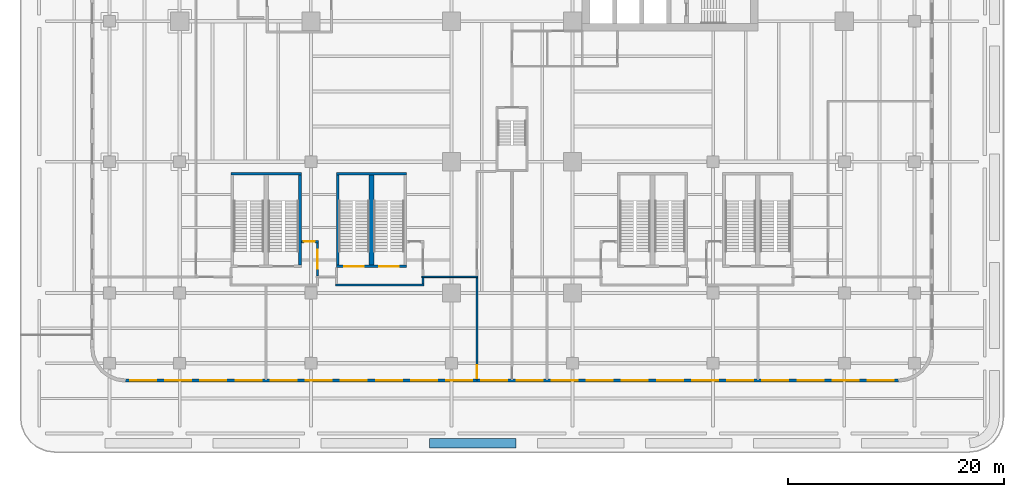
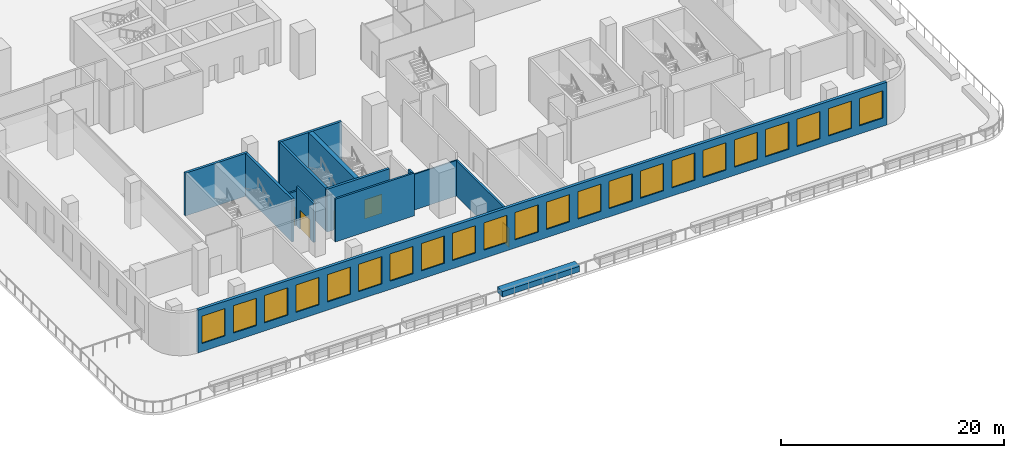
# One storey, part 6 of 18: 22 windows, 14 walls, 5 doors, 27 openings.
"""IFC4 building model written with IfcOpenShell, lengths in metres."""

from ifc_helpers import new_model, si_unit, direction, frame, frame_2d, origin, place, context, subcontext, project, spatial, polyline, rectangle, outline, extrude, source, transform, mapped, material, layer, layer_set, type_object, element, fill, save


model = new_model("IFC4")

# Units and contexts
model_context = context("Model", 3, precision=1e-05, world=origin(), true_north=direction((0.0, 1.0)))
body_context = subcontext(model_context, "Body", "Model", "MODEL_VIEW")
ifc_project = project(units=[si_unit("LENGTHUNIT", "METRE"), si_unit("AREAUNIT", "SQUARE_METRE"), si_unit("VOLUMEUNIT", "CUBIC_METRE"), si_unit("PLANEANGLEUNIT", "RADIAN"), si_unit("MASSUNIT", "GRAM", prefix="KILO")], contexts=[model_context])

# Site, building, storey
site_placement = place(None, origin())
site = spatial("IfcSite", under=ifc_project, at=site_placement, CompositionType="ELEMENT")
building_placement = place(site_placement, origin())
building = spatial("IfcBuilding", under=site, at=building_placement, Name="Trellis Farm Tower", CompositionType="ELEMENT")
storey_placement = place(building_placement, frame((0.0, 0.0, 14.0)))
storey = spatial("IfcBuildingStorey", under=building, at=storey_placement, Name="L02", CompositionType="ELEMENT", Elevation=14.0)

# Walls
ifc_material_1 = material(Name="Plasterboard on steel studs, mineral wool", Category="steel")
ifc_layer_1 = layer(ifc_material_1, 0.125)
ifc_layer_set_1 = layer_set([ifc_layer_1], Name="PARTITION 125 STUD EI 60")
wall_type_1 = type_object("IfcWallType", Name="PARTITION 125 STUD EI 60", PredefinedType="PARTITIONING", material=ifc_layer_set_1)
wall_1_placement = place(storey_placement, frame((-3.14990234375, -29.25, 0.0), z_axis=(0.0, 0.0, 1.0), x_axis=(-1.0, 0.0, 0.0)))
element("IfcWall", 1, at=wall_1_placement, inside=storey, type_object=wall_type_1, Name="Partition PW1", PredefinedType="PARTITIONING", context=body_context, shape_type="SweptSolid", body=[
    extrude(rectangle(XDim=5.2001953125, YDim=0.125, at=frame_2d((2.60009765625, 0.0))), origin(), (0.0, 0.0, 1.0), 3.917724609375),
])
ifc_material_2 = material(Name="Sandstone faced masonry planter", Category="masonry")
ifc_layer_2 = layer(ifc_material_2, 0.89990234375)
ifc_layer_set_2 = layer_set([ifc_layer_2], Name="TERRACE PLANTER BED 900")
wall_type_2 = type_object("IfcWallType", Name="TERRACE PLANTER BED 900", PredefinedType="USERDEFINED", material=ifc_layer_set_2)
wall_2_placement = place(storey_placement, origin())
element("IfcWall", 2, at=wall_2_placement, inside=storey, type_object=wall_type_2, Name="PLANTER bed", ObjectType="PLANTER", PredefinedType="USERDEFINED", context=body_context, shape_type="SweptSolid", body=[
    extrude(outline(polyline([(-7.652587890625, -44.199951171875), (0.347412109375, -44.199951171875), (0.347412109375, -45.10009765625), (-7.652587890625, -45.10009765625), (-7.652587890625, -44.199951171875)])), origin(), (0.0, 0.0, 1.0), 0.60009765625),
])
ifc_material_3 = material(Name="Concrete C80/95", Category="concrete")
ifc_layer_3 = layer(ifc_material_3, 0.25)
ifc_layer_set_3 = layer_set([ifc_layer_3], Name="CORE STAIR ENCLOSURE WALL 250 CONCRETE C80/95")
wall_type_3 = type_object("IfcWallType", Name="CORE STAIR ENCLOSURE WALL 250 CONCRETE C80/95", PredefinedType="SHEAR", material=ifc_layer_set_3)
shared_shape_1 = source(origin(), body_context, "Body", "SweptSolid", [
    extrude(rectangle(XDim=6.5, YDim=0.25, at=frame_2d((3.25, 0.0))), origin(), (0.0, 0.0, 1.0), 4.699951171875),
])
wall_3_placement = place(storey_placement, frame((-26.0, -19.72509765625, 0.0), z_axis=(0.0, 0.0, 1.0), x_axis=(1.0, 0.0, 0.0)))
element("IfcWall", 3, at=wall_3_placement, inside=storey, type_object=wall_type_3, Name="Podium stair enclosure wall", PredefinedType="SHEAR", context=body_context, shape_type="MappedRepresentation", body=[
    mapped(shared_shape_1, transform((0.0, 0.0, 0.0))),
])

# Wall, openings, doors
wall_4_placement = place(storey_placement, frame((-16.25, -28.27490234375, 0.0), z_axis=(0.0, 0.0, 1.0), x_axis=(1.0, 0.0, 0.0)))
wall_4 = element("IfcWall", 4, at=wall_4_placement, inside=storey, type_object=wall_type_3, Name="Podium stair enclosure wall", PredefinedType="SHEAR", context=body_context, shape_type="MappedRepresentation", body=[
    mapped(shared_shape_1, transform((0.0, 0.0, 0.0))),
])
shared_shape_2 = source(origin(), body_context, "Body", "SweptSolid", [
    extrude(rectangle(XDim=1.800048828125, YDim=2.10009765625, at=frame_2d((0.89990234375, 1.050048828125))), frame((0.0, 0.135009765625, 0.0), z_axis=(0.0, -1.0, 0.0), x_axis=(1.0, 0.0, 0.0)), (0.0, 0.0, 1.0), 0.27001953125),
])
opening_1_placement = place(wall_4_placement, frame((0.72509765625, 0.0, 0.0)))
opening_1 = element("IfcOpeningElement", 5, at=opening_1_placement, cuts=wall_4, Name="Opening DP11", PredefinedType="OPENING", context=body_context, shape_type="MappedRepresentation", body=[
    mapped(shared_shape_2, transform((0.0, 0.0, 0.0))),
])
opening_2_placement = place(wall_4_placement, frame((3.97509765625, 0.0, 0.0)))
opening_2 = element("IfcOpeningElement", 6, at=opening_2_placement, cuts=wall_4, Name="Opening DP12", PredefinedType="OPENING", context=body_context, shape_type="MappedRepresentation", body=[
    mapped(shared_shape_2, transform((0.0, 0.0, 0.0))),
])
ifc_material_4 = material(Name="Steel", Category="steel")
door_type_1 = type_object("IfcDoorType", Name="CORE FIRE DOOR DOUBLE 1800 X 2100", OperationType="DOUBLE_DOOR_SINGLE_SWING", PredefinedType="DOOR", material=ifc_material_4)
shared_shape_3 = source(origin(), body_context, "Body", "SweptSolid", [
    extrude(rectangle(XDim=1.800048828125, YDim=2.10009765625, at=frame_2d((0.89990234375, 1.050048828125))), frame((0.0, 0.02490234375, 0.0), z_axis=(0.0, -1.0, 0.0), x_axis=(1.0, 0.0, 0.0)), (0.0, 0.0, 1.0), 0.050048828125),
])
door_1_placement = place(opening_1_placement, origin())
door_1 = element("IfcDoor", 7, at=door_1_placement, inside=storey, type_object=door_type_1, Name="Podium stair door", OperationType="DOUBLE_DOOR_SINGLE_SWING", OverallHeight=2.10009765625, OverallWidth=1.800048828125, PredefinedType="DOOR", context=body_context, shape_type="MappedRepresentation", body=[
    mapped(shared_shape_3, transform((0.0, 0.0, 0.0))),
])
fill(opening_1, door_1)
door_2_placement = place(opening_2_placement, origin())
door_2 = element("IfcDoor", 8, at=door_2_placement, inside=storey, type_object=door_type_1, Name="Podium stair door", OperationType="DOUBLE_DOOR_SINGLE_SWING", OverallHeight=2.10009765625, OverallWidth=1.800048828125, PredefinedType="DOOR", context=body_context, shape_type="MappedRepresentation", body=[
    mapped(shared_shape_3, transform((0.0, 0.0, 0.0))),
])
fill(opening_2, door_2)

# Walls
wall_5_placement = place(storey_placement, frame((-16.25, -19.72509765625, 0.0), z_axis=(0.0, 0.0, 1.0), x_axis=(1.0, 0.0, 0.0)))
element("IfcWall", 9, at=wall_5_placement, inside=storey, type_object=wall_type_3, Name="Podium stair enclosure wall", PredefinedType="SHEAR", context=body_context, shape_type="MappedRepresentation", body=[
    mapped(shared_shape_1, transform((0.0, 0.0, 0.0))),
])
shared_shape_4 = source(origin(), body_context, "Body", "SweptSolid", [
    extrude(rectangle(XDim=8.2998046875, YDim=0.25, at=frame_2d((4.14990234375, 0.0))), origin(), (0.0, 0.0, 1.0), 4.699951171875),
])
for number, where, z_axis, x_axis, name in (
    (10, (-19.625, -28.14990234375, 0.0), (0.0, 0.0, 1.0), (0.0, 1.0, 0.0), "Podium stair enclosure wall"),
    (11, (-16.125, -28.14990234375, 0.0), (0.0, 0.0, 1.0), (0.0, 1.0, 0.0), "Podium stair enclosure wall"),
):
    element("IfcWall", number, at=place(storey_placement, frame(where, z_axis=z_axis, x_axis=x_axis)), inside=storey, type_object=wall_type_3, Name=name, PredefinedType="SHEAR", context=body_context, shape_type="MappedRepresentation", body=[
        mapped(shared_shape_4, transform((0.0, 0.0, 0.0))),
    ])
ifc_layer_4 = layer(ifc_material_3, 0.43994140625)
ifc_layer_set_4 = layer_set([ifc_layer_4], Name="CORE STAIR ENCLOSURE WALL 440 CONCRETE C80/95")
wall_type_4 = type_object("IfcWallType", Name="CORE STAIR ENCLOSURE WALL 440 CONCRETE C80/95", PredefinedType="SHEAR", material=ifc_layer_set_4)
shared_shape_5 = source(origin(), body_context, "Body", "SweptSolid", [
    extrude(rectangle(XDim=8.2998046875, YDim=0.43994140625, at=frame_2d((4.14990234375, 0.0))), origin(), (0.0, 0.0, 1.0), 4.699951171875),
])
wall_6_placement = place(storey_placement, frame((-13.0, -28.14990234375, 0.0), z_axis=(0.0, 0.0, 1.0), x_axis=(0.0, 1.0, 0.0)))
element("IfcWall", 12, at=wall_6_placement, inside=storey, type_object=wall_type_4, Name="Podium stair enclosure wall", PredefinedType="SHEAR", context=body_context, shape_type="MappedRepresentation", body=[
    mapped(shared_shape_5, transform((0.0, 0.0, 0.0))),
])

# Wall, openings, windows
ifc_material_5 = material(Name="Sandstone faced insulated wall", Category="masonry")
ifc_layer_5 = layer(ifc_material_5, 0.300048828125)
ifc_layer_set_5 = layer_set([ifc_layer_5], Name="STONE CLAD EXTERNAL WALL 300")
wall_type_5 = type_object("IfcWallType", Name="STONE CLAD EXTERNAL WALL 300", PredefinedType="SOLIDWALL", material=ifc_layer_set_5)
shared_shape_6 = source(origin(), body_context, "Body", "SweptSolid", [
    extrude(rectangle(XDim=71.5, YDim=0.300048828125, at=frame_2d((35.75, 0.0))), origin(), (0.0, 0.0, 1.0), 4.699951171875),
])
wall_7_placement = place(storey_placement, frame((-35.75, -38.85009765625, 0.0), z_axis=(0.0, 0.0, 1.0), x_axis=(1.0, 0.0, 0.0)))
wall_7 = element("IfcWall", 13, at=wall_7_placement, inside=storey, type_object=wall_type_5, Name="EW2 F04", PredefinedType="SOLIDWALL", context=body_context, shape_type="MappedRepresentation", body=[
    mapped(shared_shape_6, transform((0.0, 0.0, 0.0))),
])
shared_shape_7 = source(origin(), body_context, "Body", "SweptSolid", [
    extrude(rectangle(XDim=2.39990234375, YDim=3.0, at=frame_2d((1.199951171875, 1.5))), frame((0.0, 0.16015625, 0.0), z_axis=(0.0, -1.0, 0.0), x_axis=(1.0, 0.0, 0.0)), (0.0, 0.0, 1.0), 0.3203125),
])
opening_3_placement = place(wall_7_placement, frame((0.425048828125, 0.0, 0.89990234375)))
opening_3 = element("IfcOpeningElement", 14, at=opening_3_placement, cuts=wall_7, Name="Opening WN1", PredefinedType="OPENING", context=body_context, shape_type="MappedRepresentation", body=[
    mapped(shared_shape_7, transform((0.0, 0.0, 0.0))),
])
opening_4_placement = place(wall_7_placement, frame((3.675048828125, 0.0, 0.89990234375)))
opening_4 = element("IfcOpeningElement", 15, at=opening_4_placement, cuts=wall_7, Name="Opening WN1", PredefinedType="OPENING", context=body_context, shape_type="MappedRepresentation", body=[
    mapped(shared_shape_7, transform((0.0, 0.0, 0.0))),
])
opening_5_placement = place(wall_7_placement, frame((6.925048828125, 0.0, 0.89990234375)))
opening_5 = element("IfcOpeningElement", 16, at=opening_5_placement, cuts=wall_7, Name="Opening WN1", PredefinedType="OPENING", context=body_context, shape_type="MappedRepresentation", body=[
    mapped(shared_shape_7, transform((0.0, 0.0, 0.0))),
])
opening_6_placement = place(wall_7_placement, frame((10.175048828125, 0.0, 0.89990234375)))
opening_6 = element("IfcOpeningElement", 17, at=opening_6_placement, cuts=wall_7, Name="Opening WN1", PredefinedType="OPENING", context=body_context, shape_type="MappedRepresentation", body=[
    mapped(shared_shape_7, transform((0.0, 0.0, 0.0))),
])
opening_7_placement = place(wall_7_placement, frame((13.425048828125, 0.0, 0.89990234375)))
opening_7 = element("IfcOpeningElement", 18, at=opening_7_placement, cuts=wall_7, Name="Opening WN1", PredefinedType="OPENING", context=body_context, shape_type="MappedRepresentation", body=[
    mapped(shared_shape_7, transform((0.0, 0.0, 0.0))),
])
opening_8_placement = place(wall_7_placement, frame((16.675048828125, 0.0, 0.89990234375)))
opening_8 = element("IfcOpeningElement", 19, at=opening_8_placement, cuts=wall_7, Name="Opening WN1", PredefinedType="OPENING", context=body_context, shape_type="MappedRepresentation", body=[
    mapped(shared_shape_7, transform((0.0, 0.0, 0.0))),
])
opening_9_placement = place(wall_7_placement, frame((19.925048828125, 0.0, 0.89990234375)))
opening_9 = element("IfcOpeningElement", 20, at=opening_9_placement, cuts=wall_7, Name="Opening WN1", PredefinedType="OPENING", context=body_context, shape_type="MappedRepresentation", body=[
    mapped(shared_shape_7, transform((0.0, 0.0, 0.0))),
])
opening_10_placement = place(wall_7_placement, frame((23.175048828125, 0.0, 0.89990234375)))
opening_10 = element("IfcOpeningElement", 21, at=opening_10_placement, cuts=wall_7, Name="Opening WN1", PredefinedType="OPENING", context=body_context, shape_type="MappedRepresentation", body=[
    mapped(shared_shape_7, transform((0.0, 0.0, 0.0))),
])
opening_11_placement = place(wall_7_placement, frame((26.425048828125, 0.0, 0.89990234375)))
opening_11 = element("IfcOpeningElement", 22, at=opening_11_placement, cuts=wall_7, Name="Opening WN1", PredefinedType="OPENING", context=body_context, shape_type="MappedRepresentation", body=[
    mapped(shared_shape_7, transform((0.0, 0.0, 0.0))),
])
opening_12_placement = place(wall_7_placement, frame((29.675048828125, 0.0, 0.89990234375)))
opening_12 = element("IfcOpeningElement", 23, at=opening_12_placement, cuts=wall_7, Name="Opening WN1", PredefinedType="OPENING", context=body_context, shape_type="MappedRepresentation", body=[
    mapped(shared_shape_7, transform((0.0, 0.0, 0.0))),
])
opening_13_placement = place(wall_7_placement, frame((32.925048828125, 0.0, 0.89990234375)))
opening_13 = element("IfcOpeningElement", 24, at=opening_13_placement, cuts=wall_7, Name="Opening WN1", PredefinedType="OPENING", context=body_context, shape_type="MappedRepresentation", body=[
    mapped(shared_shape_7, transform((0.0, 0.0, 0.0))),
])
opening_14_placement = place(wall_7_placement, frame((36.175048828125, 0.0, 0.89990234375)))
opening_14 = element("IfcOpeningElement", 25, at=opening_14_placement, cuts=wall_7, Name="Opening WN1", PredefinedType="OPENING", context=body_context, shape_type="MappedRepresentation", body=[
    mapped(shared_shape_7, transform((0.0, 0.0, 0.0))),
])
opening_15_placement = place(wall_7_placement, frame((39.425048828125, 0.0, 0.89990234375)))
opening_15 = element("IfcOpeningElement", 26, at=opening_15_placement, cuts=wall_7, Name="Opening WN1", PredefinedType="OPENING", context=body_context, shape_type="MappedRepresentation", body=[
    mapped(shared_shape_7, transform((0.0, 0.0, 0.0))),
])
opening_16_placement = place(wall_7_placement, frame((42.675048828125, 0.0, 0.89990234375)))
opening_16 = element("IfcOpeningElement", 27, at=opening_16_placement, cuts=wall_7, Name="Opening WN1", PredefinedType="OPENING", context=body_context, shape_type="MappedRepresentation", body=[
    mapped(shared_shape_7, transform((0.0, 0.0, 0.0))),
])
opening_17_placement = place(wall_7_placement, frame((45.925048828125, 0.0, 0.89990234375)))
opening_17 = element("IfcOpeningElement", 28, at=opening_17_placement, cuts=wall_7, Name="Opening WN1", PredefinedType="OPENING", context=body_context, shape_type="MappedRepresentation", body=[
    mapped(shared_shape_7, transform((0.0, 0.0, 0.0))),
])
opening_18_placement = place(wall_7_placement, frame((49.175048828125, 0.0, 0.89990234375)))
opening_18 = element("IfcOpeningElement", 29, at=opening_18_placement, cuts=wall_7, Name="Opening WN1", PredefinedType="OPENING", context=body_context, shape_type="MappedRepresentation", body=[
    mapped(shared_shape_7, transform((0.0, 0.0, 0.0))),
])
opening_19_placement = place(wall_7_placement, frame((52.425048828125, 0.0, 0.89990234375)))
opening_19 = element("IfcOpeningElement", 30, at=opening_19_placement, cuts=wall_7, Name="Opening WN1", PredefinedType="OPENING", context=body_context, shape_type="MappedRepresentation", body=[
    mapped(shared_shape_7, transform((0.0, 0.0, 0.0))),
])
opening_20_placement = place(wall_7_placement, frame((55.675048828125, 0.0, 0.89990234375)))
opening_20 = element("IfcOpeningElement", 31, at=opening_20_placement, cuts=wall_7, Name="Opening WN1", PredefinedType="OPENING", context=body_context, shape_type="MappedRepresentation", body=[
    mapped(shared_shape_7, transform((0.0, 0.0, 0.0))),
])
opening_21_placement = place(wall_7_placement, frame((58.925048828125, 0.0, 0.89990234375)))
opening_21 = element("IfcOpeningElement", 32, at=opening_21_placement, cuts=wall_7, Name="Opening WN1", PredefinedType="OPENING", context=body_context, shape_type="MappedRepresentation", body=[
    mapped(shared_shape_7, transform((0.0, 0.0, 0.0))),
])
opening_22_placement = place(wall_7_placement, frame((62.175048828125, 0.0, 0.89990234375)))
opening_22 = element("IfcOpeningElement", 33, at=opening_22_placement, cuts=wall_7, Name="Opening WN1", PredefinedType="OPENING", context=body_context, shape_type="MappedRepresentation", body=[
    mapped(shared_shape_7, transform((0.0, 0.0, 0.0))),
])
opening_23_placement = place(wall_7_placement, frame((65.425048828125, 0.0, 0.89990234375)))
opening_23 = element("IfcOpeningElement", 34, at=opening_23_placement, cuts=wall_7, Name="Opening WN1", PredefinedType="OPENING", context=body_context, shape_type="MappedRepresentation", body=[
    mapped(shared_shape_7, transform((0.0, 0.0, 0.0))),
])
opening_24_placement = place(wall_7_placement, frame((68.675048828125, 0.0, 0.89990234375)))
opening_24 = element("IfcOpeningElement", 35, at=opening_24_placement, cuts=wall_7, Name="Opening WN1", PredefinedType="OPENING", context=body_context, shape_type="MappedRepresentation", body=[
    mapped(shared_shape_7, transform((0.0, 0.0, 0.0))),
])
ifc_material_6 = material(Name="Clear insulated glass", Category="glass")
window_type = type_object("IfcWindowType", Name="PODIUM WINDOW 2400x3000", PartitioningType="SINGLE_PANEL", PredefinedType="WINDOW", material=ifc_material_6)
shared_shape_8 = source(origin(), body_context, "Body", "SweptSolid", [
    extrude(rectangle(XDim=2.39990234375, YDim=3.0, at=frame_2d((1.199951171875, 1.5))), frame((0.0, 0.030029296875, 0.0), z_axis=(0.0, -1.0, 0.0), x_axis=(1.0, 0.0, 0.0)), (0.0, 0.0, 1.0), 0.06005859375),
])
window_1_placement = place(opening_3_placement, origin())
window_1 = element("IfcWindow", 36, at=window_1_placement, inside=storey, type_object=window_type, Name="WN1 065", OverallHeight=3.0, OverallWidth=2.39990234375, PartitioningType="SINGLE_PANEL", PredefinedType="WINDOW", context=body_context, shape_type="MappedRepresentation", body=[
    mapped(shared_shape_8, transform((0.0, 0.0, 0.0))),
])
fill(opening_3, window_1)
window_2_placement = place(opening_4_placement, origin())
window_2 = element("IfcWindow", 37, at=window_2_placement, inside=storey, type_object=window_type, Name="WN1 066", OverallHeight=3.0, OverallWidth=2.39990234375, PartitioningType="SINGLE_PANEL", PredefinedType="WINDOW", context=body_context, shape_type="MappedRepresentation", body=[
    mapped(shared_shape_8, transform((0.0, 0.0, 0.0))),
])
fill(opening_4, window_2)
window_3_placement = place(opening_5_placement, origin())
window_3 = element("IfcWindow", 38, at=window_3_placement, inside=storey, type_object=window_type, Name="WN1 067", OverallHeight=3.0, OverallWidth=2.39990234375, PartitioningType="SINGLE_PANEL", PredefinedType="WINDOW", context=body_context, shape_type="MappedRepresentation", body=[
    mapped(shared_shape_8, transform((0.0, 0.0, 0.0))),
])
fill(opening_5, window_3)
window_4_placement = place(opening_6_placement, origin())
window_4 = element("IfcWindow", 39, at=window_4_placement, inside=storey, type_object=window_type, Name="WN1 068", OverallHeight=3.0, OverallWidth=2.39990234375, PartitioningType="SINGLE_PANEL", PredefinedType="WINDOW", context=body_context, shape_type="MappedRepresentation", body=[
    mapped(shared_shape_8, transform((0.0, 0.0, 0.0))),
])
fill(opening_6, window_4)
window_5_placement = place(opening_7_placement, origin())
window_5 = element("IfcWindow", 40, at=window_5_placement, inside=storey, type_object=window_type, Name="WN1 069", OverallHeight=3.0, OverallWidth=2.39990234375, PartitioningType="SINGLE_PANEL", PredefinedType="WINDOW", context=body_context, shape_type="MappedRepresentation", body=[
    mapped(shared_shape_8, transform((0.0, 0.0, 0.0))),
])
fill(opening_7, window_5)
window_6_placement = place(opening_8_placement, origin())
window_6 = element("IfcWindow", 41, at=window_6_placement, inside=storey, type_object=window_type, Name="WN1 070", OverallHeight=3.0, OverallWidth=2.39990234375, PartitioningType="SINGLE_PANEL", PredefinedType="WINDOW", context=body_context, shape_type="MappedRepresentation", body=[
    mapped(shared_shape_8, transform((0.0, 0.0, 0.0))),
])
fill(opening_8, window_6)
window_7_placement = place(opening_9_placement, origin())
window_7 = element("IfcWindow", 42, at=window_7_placement, inside=storey, type_object=window_type, Name="WN1 071", OverallHeight=3.0, OverallWidth=2.39990234375, PartitioningType="SINGLE_PANEL", PredefinedType="WINDOW", context=body_context, shape_type="MappedRepresentation", body=[
    mapped(shared_shape_8, transform((0.0, 0.0, 0.0))),
])
fill(opening_9, window_7)
window_8_placement = place(opening_10_placement, origin())
window_8 = element("IfcWindow", 43, at=window_8_placement, inside=storey, type_object=window_type, Name="WN1 072", OverallHeight=3.0, OverallWidth=2.39990234375, PartitioningType="SINGLE_PANEL", PredefinedType="WINDOW", context=body_context, shape_type="MappedRepresentation", body=[
    mapped(shared_shape_8, transform((0.0, 0.0, 0.0))),
])
fill(opening_10, window_8)
window_9_placement = place(opening_11_placement, origin())
window_9 = element("IfcWindow", 44, at=window_9_placement, inside=storey, type_object=window_type, Name="WN1 073", OverallHeight=3.0, OverallWidth=2.39990234375, PartitioningType="SINGLE_PANEL", PredefinedType="WINDOW", context=body_context, shape_type="MappedRepresentation", body=[
    mapped(shared_shape_8, transform((0.0, 0.0, 0.0))),
])
fill(opening_11, window_9)
window_10_placement = place(opening_12_placement, origin())
window_10 = element("IfcWindow", 45, at=window_10_placement, inside=storey, type_object=window_type, Name="WN1 074", OverallHeight=3.0, OverallWidth=2.39990234375, PartitioningType="SINGLE_PANEL", PredefinedType="WINDOW", context=body_context, shape_type="MappedRepresentation", body=[
    mapped(shared_shape_8, transform((0.0, 0.0, 0.0))),
])
fill(opening_12, window_10)
window_11_placement = place(opening_13_placement, origin())
window_11 = element("IfcWindow", 46, at=window_11_placement, inside=storey, type_object=window_type, Name="WN1 075", OverallHeight=3.0, OverallWidth=2.39990234375, PartitioningType="SINGLE_PANEL", PredefinedType="WINDOW", context=body_context, shape_type="MappedRepresentation", body=[
    mapped(shared_shape_8, transform((0.0, 0.0, 0.0))),
])
fill(opening_13, window_11)
window_12_placement = place(opening_14_placement, origin())
window_12 = element("IfcWindow", 47, at=window_12_placement, inside=storey, type_object=window_type, Name="WN1 076", OverallHeight=3.0, OverallWidth=2.39990234375, PartitioningType="SINGLE_PANEL", PredefinedType="WINDOW", context=body_context, shape_type="MappedRepresentation", body=[
    mapped(shared_shape_8, transform((0.0, 0.0, 0.0))),
])
fill(opening_14, window_12)
window_13_placement = place(opening_15_placement, origin())
window_13 = element("IfcWindow", 48, at=window_13_placement, inside=storey, type_object=window_type, Name="WN1 077", OverallHeight=3.0, OverallWidth=2.39990234375, PartitioningType="SINGLE_PANEL", PredefinedType="WINDOW", context=body_context, shape_type="MappedRepresentation", body=[
    mapped(shared_shape_8, transform((0.0, 0.0, 0.0))),
])
fill(opening_15, window_13)
window_14_placement = place(opening_16_placement, origin())
window_14 = element("IfcWindow", 49, at=window_14_placement, inside=storey, type_object=window_type, Name="WN1 078", OverallHeight=3.0, OverallWidth=2.39990234375, PartitioningType="SINGLE_PANEL", PredefinedType="WINDOW", context=body_context, shape_type="MappedRepresentation", body=[
    mapped(shared_shape_8, transform((0.0, 0.0, 0.0))),
])
fill(opening_16, window_14)
window_15_placement = place(opening_17_placement, origin())
window_15 = element("IfcWindow", 50, at=window_15_placement, inside=storey, type_object=window_type, Name="WN1 079", OverallHeight=3.0, OverallWidth=2.39990234375, PartitioningType="SINGLE_PANEL", PredefinedType="WINDOW", context=body_context, shape_type="MappedRepresentation", body=[
    mapped(shared_shape_8, transform((0.0, 0.0, 0.0))),
])
fill(opening_17, window_15)
window_16_placement = place(opening_18_placement, origin())
window_16 = element("IfcWindow", 51, at=window_16_placement, inside=storey, type_object=window_type, Name="WN1 080", OverallHeight=3.0, OverallWidth=2.39990234375, PartitioningType="SINGLE_PANEL", PredefinedType="WINDOW", context=body_context, shape_type="MappedRepresentation", body=[
    mapped(shared_shape_8, transform((0.0, 0.0, 0.0))),
])
fill(opening_18, window_16)
window_17_placement = place(opening_19_placement, origin())
window_17 = element("IfcWindow", 52, at=window_17_placement, inside=storey, type_object=window_type, Name="WN1 081", OverallHeight=3.0, OverallWidth=2.39990234375, PartitioningType="SINGLE_PANEL", PredefinedType="WINDOW", context=body_context, shape_type="MappedRepresentation", body=[
    mapped(shared_shape_8, transform((0.0, 0.0, 0.0))),
])
fill(opening_19, window_17)
window_18_placement = place(opening_20_placement, origin())
window_18 = element("IfcWindow", 53, at=window_18_placement, inside=storey, type_object=window_type, Name="WN1 082", OverallHeight=3.0, OverallWidth=2.39990234375, PartitioningType="SINGLE_PANEL", PredefinedType="WINDOW", context=body_context, shape_type="MappedRepresentation", body=[
    mapped(shared_shape_8, transform((0.0, 0.0, 0.0))),
])
fill(opening_20, window_18)
window_19_placement = place(opening_21_placement, origin())
window_19 = element("IfcWindow", 54, at=window_19_placement, inside=storey, type_object=window_type, Name="WN1 083", OverallHeight=3.0, OverallWidth=2.39990234375, PartitioningType="SINGLE_PANEL", PredefinedType="WINDOW", context=body_context, shape_type="MappedRepresentation", body=[
    mapped(shared_shape_8, transform((0.0, 0.0, 0.0))),
])
fill(opening_21, window_19)
window_20_placement = place(opening_22_placement, origin())
window_20 = element("IfcWindow", 55, at=window_20_placement, inside=storey, type_object=window_type, Name="WN1 084", OverallHeight=3.0, OverallWidth=2.39990234375, PartitioningType="SINGLE_PANEL", PredefinedType="WINDOW", context=body_context, shape_type="MappedRepresentation", body=[
    mapped(shared_shape_8, transform((0.0, 0.0, 0.0))),
])
fill(opening_22, window_20)
window_21_placement = place(opening_23_placement, origin())
window_21 = element("IfcWindow", 56, at=window_21_placement, inside=storey, type_object=window_type, Name="WN1 085", OverallHeight=3.0, OverallWidth=2.39990234375, PartitioningType="SINGLE_PANEL", PredefinedType="WINDOW", context=body_context, shape_type="MappedRepresentation", body=[
    mapped(shared_shape_8, transform((0.0, 0.0, 0.0))),
])
fill(opening_23, window_21)
window_22_placement = place(opening_24_placement, origin())
window_22 = element("IfcWindow", 57, at=window_22_placement, inside=storey, type_object=window_type, Name="WN1 086", OverallHeight=3.0, OverallWidth=2.39990234375, PartitioningType="SINGLE_PANEL", PredefinedType="WINDOW", context=body_context, shape_type="MappedRepresentation", body=[
    mapped(shared_shape_8, transform((0.0, 0.0, 0.0))),
])
fill(opening_24, window_22)

# Wall
ifc_material_7 = material(Name="Lightweight blockwork, plastered", Category="masonry")
ifc_layer_6 = layer(ifc_material_7, 0.199951171875)
ifc_layer_set_6 = layer_set([ifc_layer_6], Name="BLOCK WALL 200 EI 120")
wall_type_6 = type_object("IfcWallType", Name="BLOCK WALL 200 EI 120", PredefinedType="PARTITIONING", material=ifc_layer_set_6)
shared_shape_9 = source(origin(), body_context, "Body", "SweptSolid", [
    extrude(rectangle(XDim=0.58740234375, YDim=0.199951171875, at=frame_2d((0.293701171875, 0.0))), origin(), (0.0, 0.0, 1.0), 4.699951171875),
])
wall_8_placement = place(storey_placement, frame((-8.25, -29.89990234375, 0.0), z_axis=(0.0, 0.0, 1.0), x_axis=(0.0, 1.0, 0.0)))
element("IfcWall", 58, at=wall_8_placement, inside=storey, type_object=wall_type_6, Name="Partition PW3", PredefinedType="PARTITIONING", context=body_context, shape_type="MappedRepresentation", body=[
    mapped(shared_shape_9, transform((0.0, 0.0, 0.0))),
])

# Wall, opening, door
shared_shape_10 = source(origin(), body_context, "Body", "SweptSolid", [
    extrude(rectangle(XDim=3.08740234375, YDim=0.199951171875, at=frame_2d((1.543701171875, 0.0))), origin(), (0.0, 0.0, 1.0), 4.273681640625),
])
wall_9_placement = place(storey_placement, frame((-18.0, -26.10009765625, 0.0), z_axis=(0.0, 0.0, 1.0), x_axis=(0.0, -1.0, 0.0)))
wall_9 = element("IfcWall", 59, at=wall_9_placement, inside=storey, type_object=wall_type_6, Name="Partition PW3", PredefinedType="PARTITIONING", context=body_context, shape_type="MappedRepresentation", body=[
    mapped(shared_shape_10, transform((0.0, 0.0, 0.0))),
])
shared_shape_11 = source(origin(), body_context, "Body", "SweptSolid", [
    extrude(rectangle(XDim=1.800048828125, YDim=2.10009765625, at=frame_2d((0.89990234375, 1.050048828125))), frame((0.0, 0.110107421875, 0.0), z_axis=(0.0, -1.0, 0.0), x_axis=(1.0, 0.0, 0.0)), (0.0, 0.0, 1.0), 0.22021484375),
])
opening_25_placement = place(wall_9_placement, frame((0.625, 0.0, 0.0)))
opening_25 = element("IfcOpeningElement", 60, at=opening_25_placement, cuts=wall_9, Name="Opening D401", PredefinedType="OPENING", context=body_context, shape_type="MappedRepresentation", body=[
    mapped(shared_shape_11, transform((0.0, 0.0, 0.0))),
])
ifc_material_8 = material(Name="Fire-rated timber door leaf in a hollow metal frame", Category="wood")
door_type_2 = type_object("IfcDoorType", Name="DOOR PAIR 1800x2100 FD60", OperationType="NOTDEFINED", PredefinedType="DOOR", material=ifc_material_8)
door_3_placement = place(opening_25_placement, origin())
door_3 = element("IfcDoor", 61, at=door_3_placement, inside=storey, type_object=door_type_2, Name="Door D401", OperationType="DOUBLE_DOOR_SINGLE_SWING", OverallHeight=2.10009765625, OverallWidth=1.800048828125, PredefinedType="DOOR", context=body_context, shape_type="MappedRepresentation", body=[
    mapped(shared_shape_3, transform((0.0, 0.0, 0.0))),
])
fill(opening_25, door_3)

shared_shape_12 = source(origin(), body_context, "Body", "SweptSolid", [
    extrude(rectangle(XDim=9.487548828125, YDim=0.199951171875, at=frame_2d((4.74365234375, 0.0))), origin(), (0.0, 0.0, 1.0), 3.917724609375),
])
wall_10_placement = place(storey_placement, frame((-3.25, -38.800048828125, 0.0), z_axis=(0.0, 0.0, 1.0), x_axis=(0.0, 1.0, 0.0)))
wall_10 = element("IfcWall", 62, at=wall_10_placement, inside=storey, type_object=wall_type_6, Name="Partition PW3", PredefinedType="PARTITIONING", context=body_context, shape_type="MappedRepresentation", body=[
    mapped(shared_shape_12, transform((0.0, 0.0, 0.0))),
])
shared_shape_13 = source(origin(), body_context, "Body", "SweptSolid", [
    extrude(rectangle(XDim=1.199951171875, YDim=2.10009765625, at=frame_2d((0.60009765625, 1.050048828125))), frame((0.0, 0.110107421875, 0.0), z_axis=(0.0, -1.0, 0.0), x_axis=(1.0, 0.0, 0.0)), (0.0, 0.0, 1.0), 0.22021484375),
])
opening_26_placement = place(wall_10_placement, frame((0.14990234375, 0.0, 0.0)))
opening_26 = element("IfcOpeningElement", 63, at=opening_26_placement, cuts=wall_10, Name="Opening D601", PredefinedType="OPENING", context=body_context, shape_type="MappedRepresentation", body=[
    mapped(shared_shape_13, transform((0.0, 0.0, 0.0))),
])
door_type_3 = type_object("IfcDoorType", Name="DOOR 1200x2100 FD30S", OperationType="NOTDEFINED", PredefinedType="DOOR", material=ifc_material_8)
shared_shape_14 = source(origin(), body_context, "Body", "SweptSolid", [
    extrude(rectangle(XDim=1.199951171875, YDim=2.10009765625, at=frame_2d((0.60009765625, 1.050048828125))), frame((0.0, 0.02490234375, 0.0), z_axis=(0.0, -1.0, 0.0), x_axis=(1.0, 0.0, 0.0)), (0.0, 0.0, 1.0), 0.050048828125),
])
door_4_placement = place(opening_26_placement, origin())
door_4 = element("IfcDoor", 64, at=door_4_placement, inside=storey, type_object=door_type_3, Name="Door D601", OperationType="SINGLE_SWING_LEFT", OverallHeight=2.10009765625, OverallWidth=1.199951171875, PredefinedType="DOOR", context=body_context, shape_type="MappedRepresentation", body=[
    mapped(shared_shape_14, transform((0.0, 0.0, 0.0))),
])
fill(opening_26, door_4)

# Wall
shared_shape_15 = source(origin(), body_context, "Body", "SweptSolid", [
    extrude(rectangle(XDim=8.2001953125, YDim=0.199951171875, at=frame_2d((4.10009765625, 0.0))), origin(), (0.0, 0.0, 1.0), 4.699951171875),
])
wall_11_placement = place(storey_placement, frame((-8.14990234375, -30.0, 0.0), z_axis=(0.0, 0.0, 1.0), x_axis=(-1.0, 0.0, 0.0)))
element("IfcWall", 65, at=wall_11_placement, inside=storey, type_object=wall_type_6, Name="Partition PW3", PredefinedType="PARTITIONING", context=body_context, shape_type="MappedRepresentation", body=[
    mapped(shared_shape_15, transform((0.0, 0.0, 0.0))),
])

# Wall, opening, door
shared_shape_16 = source(origin(), body_context, "Body", "SweptSolid", [
    extrude(rectangle(XDim=1.60009765625, YDim=0.199951171875, at=frame_2d((0.800048828125, 0.0))), origin(), (0.0, 0.0, 1.0), 3.76171875),
])
wall_12_placement = place(storey_placement, frame((-19.5, -26.0, 0.0), z_axis=(0.0, 0.0, 1.0), x_axis=(1.0, 0.0, 0.0)))
wall_12 = element("IfcWall", 66, at=wall_12_placement, inside=storey, type_object=wall_type_6, Name="Partition PW3", PredefinedType="PARTITIONING", context=body_context, shape_type="MappedRepresentation", body=[
    mapped(shared_shape_16, transform((0.0, 0.0, 0.0))),
])
shared_shape_17 = source(origin(), body_context, "Body", "SweptSolid", [
    extrude(rectangle(XDim=1.0, YDim=2.10009765625, at=frame_2d((0.5, 1.050048828125))), frame((0.0, 0.110107421875, 0.0), z_axis=(0.0, -1.0, 0.0), x_axis=(1.0, 0.0, 0.0)), (0.0, 0.0, 1.0), 0.22021484375),
])
opening_27_placement = place(wall_12_placement, frame((0.25, 0.0, 0.0)))
opening_27 = element("IfcOpeningElement", 67, at=opening_27_placement, cuts=wall_12, Name="Opening D302", PredefinedType="OPENING", context=body_context, shape_type="MappedRepresentation", body=[
    mapped(shared_shape_17, transform((0.0, 0.0, 0.0))),
])
door_type_4 = type_object("IfcDoorType", Name="DOOR 1000x2100 FD60", OperationType="NOTDEFINED", PredefinedType="DOOR", material=ifc_material_8)
shared_shape_18 = source(origin(), body_context, "Body", "SweptSolid", [
    extrude(rectangle(XDim=1.0, YDim=2.10009765625, at=frame_2d((0.5, 1.050048828125))), frame((0.0, 0.02490234375, 0.0), z_axis=(0.0, -1.0, 0.0), x_axis=(1.0, 0.0, 0.0)), (0.0, 0.0, 1.0), 0.050048828125),
])
door_5_placement = place(opening_27_placement, origin())
door_5 = element("IfcDoor", 68, at=door_5_placement, inside=storey, type_object=door_type_4, Name="Door D302", OperationType="SINGLE_SWING_LEFT", OverallHeight=2.10009765625, OverallWidth=1.0, PredefinedType="DOOR", context=body_context, shape_type="MappedRepresentation", body=[
    mapped(shared_shape_18, transform((0.0, 0.0, 0.0))),
])
fill(opening_27, door_5)

save(model, "model.ifc")
